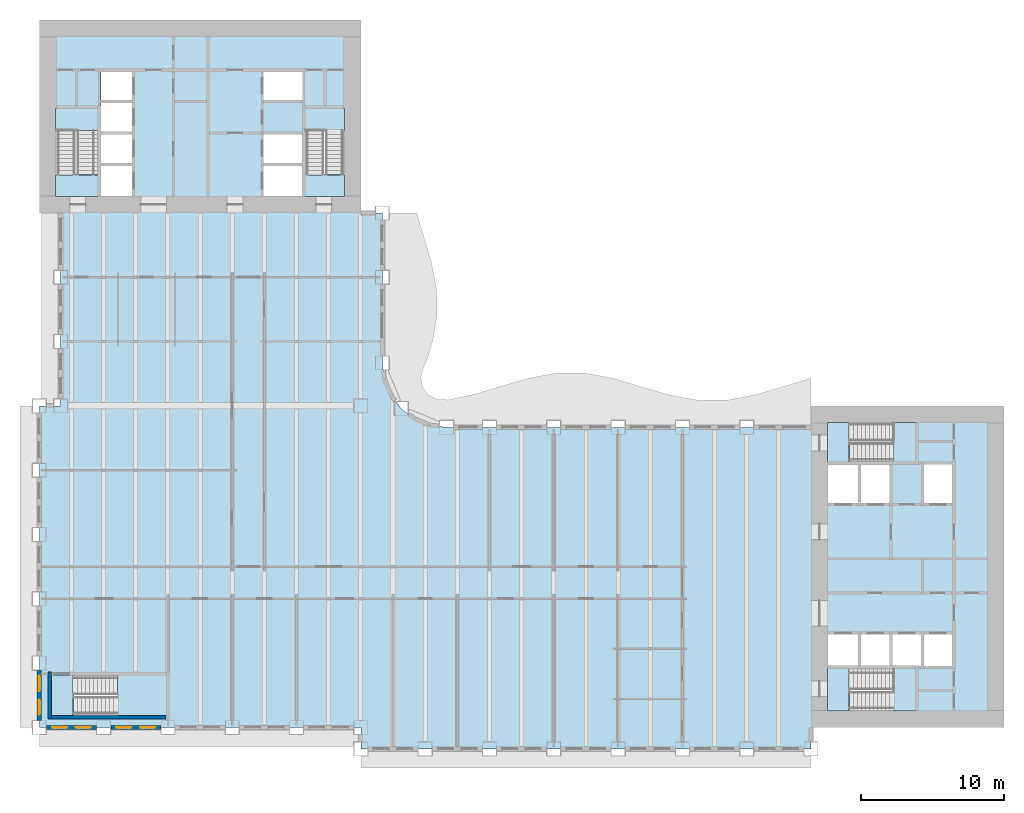
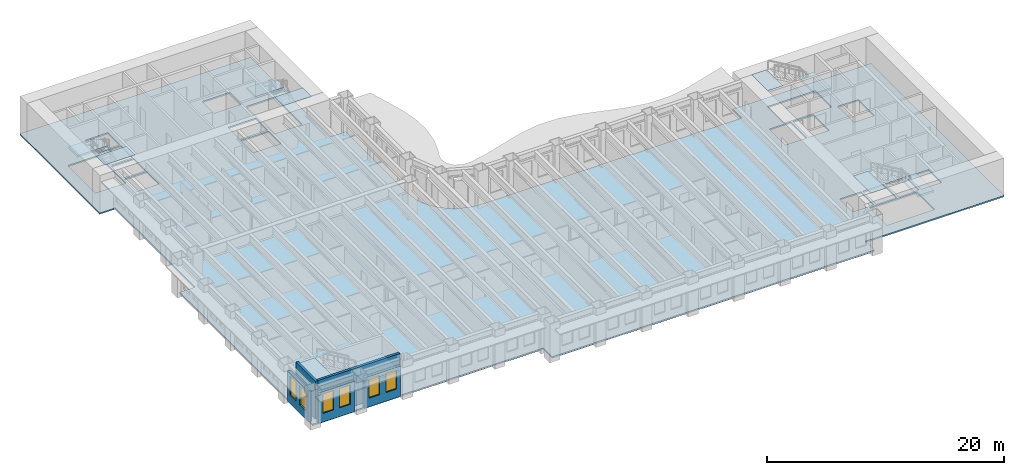
# One storey, part 2 of 16: 11 slabs, 6 windows, 5 walls, 6 openings, 5 elements without a shape of their own.
"""IFC4 building model written with IfcOpenShell, lengths in metres."""

from ifc_helpers import new_model, si_unit, direction, frame, frame_2d, origin, place, context, subcontext, project, spatial, polyline, rectangle, outline, extrude, material, layer, layer_set, type_object, element, fill, aggregate, save


model = new_model("IFC4")

# Units and contexts
model_context = context("Model", 3, precision=1e-05, world=origin(), true_north=direction((0.0, 1.0)))
body_context = subcontext(model_context, "Body", "Model", "MODEL_VIEW")
ifc_project = project(units=[si_unit("LENGTHUNIT", "METRE"), si_unit("AREAUNIT", "SQUARE_METRE"), si_unit("VOLUMEUNIT", "CUBIC_METRE"), si_unit("PLANEANGLEUNIT", "RADIAN"), si_unit("MASSUNIT", "GRAM", prefix="KILO")], contexts=[model_context])

# Site, building, storey
site_placement = place(None, origin())
site = spatial("IfcSite", under=ifc_project, at=site_placement, CompositionType="ELEMENT")
building_placement = place(site_placement, origin())
building = spatial("IfcBuilding", under=site, at=building_placement, Name="Sennacour Bend Tower", CompositionType="ELEMENT")
storey_placement = place(building_placement, frame((0.0, 0.0, 119.0)))
storey = spatial("IfcBuildingStorey", under=building, at=storey_placement, Name="L27", CompositionType="ELEMENT", Elevation=119.0)

# Slabs
ifc_material_1 = material(Name="Concrete C30/37", Category="concrete")
ifc_layer_1 = layer(ifc_material_1, 0.14990234375, Name="Concrete C30/37", Category="concrete")
ifc_layer_set_1 = layer_set([ifc_layer_1], Name="Concrete C30/37")
slab_type_1 = type_object("IfcSlabType", Name="Floor slab 150", PredefinedType="FLOOR", material=ifc_layer_set_1)
slab_1_placement = place(storey_placement, frame((0.0, 0.0, -0.14990234375)))
element("IfcSlab", 1, at=slab_1_placement, inside=storey, type_object=slab_type_1, Name="Floor slab L27-01", PredefinedType="FLOOR", context=body_context, shape_type="SweptSolid", body=[
    extrude(outline(polyline([(22.5, 0.0), (0.0, 0.0), (0.0, 22.5), (1.5, 22.5), (1.5, 36.0), (0.0, 36.0), (0.0, 49.5), (22.5, 49.5), (22.5, 36.0), (24.0, 36.0), (24.0, 25.5), (24.1533203125, 24.335205078125), (24.602783203125, 23.25), (25.318115234375, 22.318115234375), (26.25, 21.602783203125), (27.335205078125, 21.1533203125), (28.5, 21.0), (54.0, 21.0), (54.0, 22.5), (67.5, 22.5), (67.5, 0.0), (54.0, 0.0), (54.0, -1.5), (22.5, -1.5), (22.5, 0.0)]), holes=[polyline([(8.800048828125, 0.949951171875), (8.800048828125, 3.5), (2.429931640625, 3.5), (2.429931640625, 0.949951171875), (8.800048828125, 0.949951171875)]), polyline([(6.5, 37.199951171875), (6.5, 39.300048828125), (4.300048828125, 39.300048828125), (4.300048828125, 37.199951171875), (6.5, 37.199951171875)]), polyline([(18.39990234375, 37.199951171875), (18.39990234375, 39.300048828125), (15.699951171875, 39.300048828125), (15.699951171875, 37.199951171875), (18.39990234375, 37.199951171875)]), polyline([(6.5, 39.5), (6.5, 41.5), (4.300048828125, 41.5), (4.300048828125, 39.5), (6.5, 39.5)]), polyline([(18.39990234375, 39.5), (18.39990234375, 41.5), (15.699951171875, 41.5), (15.699951171875, 39.5), (18.39990234375, 39.5)]), polyline([(4.125, 38.72998046875), (4.125, 43.39990234375), (1.14990234375, 43.39990234375), (1.14990234375, 38.72998046875), (4.125, 38.72998046875)]), polyline([(21.35009765625, 38.72998046875), (21.35009765625, 43.39990234375), (18.574951171875, 43.39990234375), (18.574951171875, 38.72998046875), (21.35009765625, 38.72998046875)]), polyline([(4.300048828125, 41.699951171875), (6.5, 41.699951171875), (6.5, 43.699951171875), (4.300048828125, 43.699951171875), (4.300048828125, 41.699951171875)]), polyline([(4.300048828125, 43.89990234375), (6.5, 43.89990234375), (6.5, 45.89990234375), (4.300048828125, 45.89990234375), (4.300048828125, 43.89990234375)]), polyline([(18.39990234375, 43.89990234375), (18.39990234375, 45.89990234375), (15.699951171875, 45.89990234375), (15.699951171875, 43.89990234375), (18.39990234375, 43.89990234375)]), polyline([(61.39990234375, 1.14990234375), (61.39990234375, 4.125), (56.72998046875, 4.125), (56.72998046875, 1.14990234375), (61.39990234375, 1.14990234375)]), polyline([(57.300048828125, 4.300048828125), (57.300048828125, 6.5), (55.199951171875, 6.5), (55.199951171875, 4.300048828125), (57.300048828125, 4.300048828125)]), polyline([(57.5, 4.300048828125), (59.5, 4.300048828125), (59.5, 6.5), (57.5, 6.5), (57.5, 4.300048828125)]), polyline([(59.699951171875, 4.300048828125), (61.699951171875, 4.300048828125), (61.699951171875, 6.5), (59.699951171875, 6.5), (59.699951171875, 4.300048828125)]), polyline([(63.89990234375, 4.300048828125), (63.89990234375, 6.5), (61.89990234375, 6.5), (61.89990234375, 4.300048828125), (63.89990234375, 4.300048828125)]), polyline([(57.300048828125, 15.699951171875), (57.300048828125, 18.39990234375), (55.199951171875, 18.39990234375), (55.199951171875, 15.699951171875), (57.300048828125, 15.699951171875)]), polyline([(59.5, 15.699951171875), (59.5, 18.39990234375), (57.5, 18.39990234375), (57.5, 15.699951171875), (59.5, 15.699951171875)]), polyline([(61.89990234375, 15.699951171875), (63.89990234375, 15.699951171875), (63.89990234375, 18.39990234375), (61.89990234375, 18.39990234375), (61.89990234375, 15.699951171875)]), polyline([(56.72998046875, 18.574951171875), (61.39990234375, 18.574951171875), (61.39990234375, 21.35009765625), (56.72998046875, 21.35009765625), (56.72998046875, 18.574951171875)])]), origin(), (0.0, 0.0, 1.0), 0.14990234375),
])
ifc_material_2 = material(Name="Concrete C40/50", Category="concrete")
ifc_layer_2 = layer(ifc_material_2, 0.034912109375, Name="Concrete C40/50", Category="concrete")
ifc_layer_set_2 = layer_set([ifc_layer_2], Name="Concrete C40/50")
slab_type_2 = type_object("IfcSlabType", Name="Stair arrival nib 35", PredefinedType="FLOOR", material=ifc_layer_set_2)
slab_2_placement = place(storey_placement, frame((0.0, 0.0, 3.815185546875)))
element("IfcSlab", 2, at=slab_2_placement, inside=storey, type_object=slab_type_2, Name="L27 SA1 stair arrival nib", PredefinedType="FLOOR", context=body_context, shape_type="SweptSolid", body=[
    extrude(outline(polyline([(56.64208984375, 4.125), (55.14990234375, 4.125), (55.14990234375, 1.14990234375), (56.64208984375, 1.14990234375), (56.64208984375, 4.125)])), origin(), (0.0, 0.0, 1.0), 0.034912109375),
])
slab_3_placement = place(storey_placement, frame((0.0, 0.0, 3.815185546875)))
element("IfcSlab", 3, at=slab_3_placement, inside=storey, type_object=slab_type_2, Name="L27 SA2 stair arrival nib", PredefinedType="FLOOR", context=body_context, shape_type="SweptSolid", body=[
    extrude(outline(polyline([(56.64208984375, 21.35009765625), (55.14990234375, 21.35009765625), (55.14990234375, 18.574951171875), (56.64208984375, 18.574951171875), (56.64208984375, 21.35009765625)])), origin(), (0.0, 0.0, 1.0), 0.034912109375),
])
slab_4_placement = place(storey_placement, frame((0.0, 0.0, 3.815185546875)))
element("IfcSlab", 4, at=slab_4_placement, inside=storey, type_object=slab_type_2, Name="L27 SB1 stair arrival nib", PredefinedType="FLOOR", context=body_context, shape_type="SweptSolid", body=[
    extrude(outline(polyline([(1.14990234375, 38.64208984375), (1.14990234375, 37.14990234375), (4.125, 37.14990234375), (4.125, 38.64208984375), (1.14990234375, 38.64208984375)])), origin(), (0.0, 0.0, 1.0), 0.034912109375),
])
slab_5_placement = place(storey_placement, frame((0.0, 0.0, 3.815185546875)))
element("IfcSlab", 5, at=slab_5_placement, inside=storey, type_object=slab_type_2, Name="L27 SB2 stair arrival nib", PredefinedType="FLOOR", context=body_context, shape_type="SweptSolid", body=[
    extrude(outline(polyline([(18.574951171875, 38.64208984375), (18.574951171875, 37.14990234375), (21.35009765625, 37.14990234375), (21.35009765625, 38.64208984375), (18.574951171875, 38.64208984375)])), origin(), (0.0, 0.0, 1.0), 0.034912109375),
])
slab_6_placement = place(storey_placement, frame((0.0, 0.0, 3.815185546875)))
element("IfcSlab", 6, at=slab_6_placement, inside=storey, type_object=slab_type_2, Name="L27 SK1 stair arrival nib", PredefinedType="FLOOR", context=body_context, shape_type="SweptSolid", body=[
    extrude(outline(polyline([(2.342041015625, 3.675048828125), (0.800048828125, 3.675048828125), (0.800048828125, 0.800048828125), (2.342041015625, 0.800048828125), (2.342041015625, 3.675048828125)])), origin(), (0.0, 0.0, 1.0), 0.034912109375),
])

# Stair, slab
stair_type = type_object("IfcStairType", Name="ST-DOGLEG", PredefinedType="HALF_TURN_STAIR", material=ifc_material_2)
stair_1_placement = place(storey_placement, origin())
stair_1 = element("IfcStair", 7, at=stair_1_placement, inside=storey, type_object=stair_type, Name="L27 Exit stair A1", PredefinedType="HALF_TURN_STAIR")
ifc_layer_3 = layer(ifc_material_2, 0.199951171875, Name="Concrete C40/50", Category="concrete")
ifc_layer_set_3 = layer_set([ifc_layer_3], Name="Concrete C40/50")
slab_type_3 = type_object("IfcSlabType", Name="Stair landing 200", PredefinedType="LANDING", material=ifc_layer_set_3)
slab_7_placement = place(storey_placement, frame((0.0, 0.0, 1.800048828125)))
slab_7 = element("IfcSlab", 8, at=slab_7_placement, type_object=slab_type_3, Name="SA1 landing 1", PredefinedType="LANDING", context=body_context, shape_type="SweptSolid", body=[
    extrude(outline(polyline([(59.780029296875, 1.14990234375), (61.324951171875, 1.14990234375), (61.324951171875, 4.125), (59.780029296875, 4.125), (59.780029296875, 1.14990234375)])), origin(), (0.0, 0.0, 1.0), 0.199951171875),
])
aggregate(stair_1, [slab_7])

stair_2_placement = place(storey_placement, origin())
stair_2 = element("IfcStair", 9, at=stair_2_placement, inside=storey, type_object=stair_type, Name="L27 Exit stair A2", PredefinedType="HALF_TURN_STAIR")
slab_8_placement = place(storey_placement, frame((0.0, 0.0, 1.800048828125)))
slab_8 = element("IfcSlab", 10, at=slab_8_placement, type_object=slab_type_3, Name="SA2 landing 1", PredefinedType="LANDING", context=body_context, shape_type="SweptSolid", body=[
    extrude(outline(polyline([(59.780029296875, 18.574951171875), (61.324951171875, 18.574951171875), (61.324951171875, 21.35009765625), (59.780029296875, 21.35009765625), (59.780029296875, 18.574951171875)])), origin(), (0.0, 0.0, 1.0), 0.199951171875),
])
aggregate(stair_2, [slab_8])

stair_3_placement = place(storey_placement, origin())
stair_3 = element("IfcStair", 11, at=stair_3_placement, inside=storey, type_object=stair_type, Name="L27 Exit stair B1", PredefinedType="HALF_TURN_STAIR")
slab_9_placement = place(storey_placement, frame((0.0, 0.0, 1.800048828125)))
slab_9 = element("IfcSlab", 12, at=slab_9_placement, type_object=slab_type_3, Name="SB1 landing 1", PredefinedType="LANDING", context=body_context, shape_type="SweptSolid", body=[
    extrude(outline(polyline([(1.14990234375, 41.780029296875), (4.125, 41.780029296875), (4.125, 43.324951171875), (1.14990234375, 43.324951171875), (1.14990234375, 41.780029296875)])), origin(), (0.0, 0.0, 1.0), 0.199951171875),
])
aggregate(stair_3, [slab_9])

stair_4_placement = place(storey_placement, origin())
stair_4 = element("IfcStair", 13, at=stair_4_placement, inside=storey, type_object=stair_type, Name="L27 Exit stair B2", PredefinedType="HALF_TURN_STAIR")
slab_10_placement = place(storey_placement, frame((0.0, 0.0, 1.800048828125)))
slab_10 = element("IfcSlab", 14, at=slab_10_placement, type_object=slab_type_3, Name="SB2 landing 1", PredefinedType="LANDING", context=body_context, shape_type="SweptSolid", body=[
    extrude(outline(polyline([(18.574951171875, 41.780029296875), (21.35009765625, 41.780029296875), (21.35009765625, 43.324951171875), (18.574951171875, 43.324951171875), (18.574951171875, 41.780029296875)])), origin(), (0.0, 0.0, 1.0), 0.199951171875),
])
aggregate(stair_4, [slab_10])

stair_5_placement = place(storey_placement, origin())
stair_5 = element("IfcStair", 15, at=stair_5_placement, inside=storey, type_object=stair_type, Name="L27 Exit stair K1", PredefinedType="HALF_TURN_STAIR")
slab_11_placement = place(storey_placement, frame((0.0, 0.0, 1.800048828125)))
slab_11 = element("IfcSlab", 16, at=slab_11_placement, type_object=slab_type_3, Name="SK1 landing 1", PredefinedType="LANDING", context=body_context, shape_type="SweptSolid", body=[
    extrude(outline(polyline([(5.47998046875, 0.800048828125), (8.925048828125, 0.800048828125), (8.925048828125, 3.675048828125), (5.47998046875, 3.675048828125), (5.47998046875, 0.800048828125)])), origin(), (0.0, 0.0, 1.0), 0.199951171875),
])
aggregate(stair_5, [slab_11])

# Wall, openings, windows
ifc_material_3 = material(Name="Warm limestone cladding", Category="masonry")
ifc_layer_4 = layer(ifc_material_3, 0.050048828125, Name="Warm limestone cladding", Category="masonry")
ifc_material_4 = material(Name="Precast concrete C40/50", Category="concrete")
ifc_layer_5 = layer(ifc_material_4, 0.25, Name="Precast concrete C40/50", Category="concrete")
ifc_layer_set_4 = layer_set([ifc_layer_4, ifc_layer_5], Name="Precast concrete C40/50 with limestone cladding")
wall_type_1 = type_object("IfcWallType", Name="STONE-CLAD PRECAST SPANDREL 300", PredefinedType="STANDARD", material=ifc_layer_set_4)
wall_1_placement = place(storey_placement, frame((0.0, 4.0, 0.0), z_axis=(0.0, 0.0, 1.0), x_axis=(0.0, -1.0, 0.0)))
wall_1 = element("IfcWall", 17, at=wall_1_placement, inside=storey, type_object=wall_type_1, Name="Stone spandrel and pier wall L27 21.04", PredefinedType="STANDARD", context=body_context, shape_type="SweptSolid", body=[
    extrude(rectangle(XDim=3.5, YDim=0.300048828125, at=frame_2d((1.75, 0.0))), origin(), (0.0, 0.0, 1.0), 3.154052734375),
])
opening_1_placement = place(wall_1_placement, frame((0.39990234375, 0.0, 0.89990234375)))
opening_1 = element("IfcOpeningElement", 18, at=opening_1_placement, cuts=wall_1, Name="Opening W13", PredefinedType="OPENING", context=body_context, shape_type="SweptSolid", body=[
    extrude(rectangle(XDim=1.050048828125, YDim=2.0, at=frame_2d((0.52490234375, 1.0))), frame((0.0, 0.16015625, 0.0), z_axis=(0.0, -1.0, 0.0), x_axis=(1.0, 0.0, 0.0)), (0.0, 0.0, 1.0), 0.320068359375),
])
opening_2_placement = place(wall_1_placement, frame((2.050048828125, 0.0, 0.89990234375)))
opening_2 = element("IfcOpeningElement", 19, at=opening_2_placement, cuts=wall_1, Name="Opening W13", PredefinedType="OPENING", context=body_context, shape_type="SweptSolid", body=[
    extrude(rectangle(XDim=1.050048828125, YDim=2.0, at=frame_2d((0.52490234375, 1.0))), frame((0.0, 0.16015625, 0.0), z_axis=(0.0, -1.0, 0.0), x_axis=(1.0, 0.0, 0.0)), (0.0, 0.0, 1.0), 0.320068359375),
])
ifc_material_5 = material(Name="Clear low-emissivity glass", Category="glass")
window_type = type_object("IfcWindowType", Name="WIN-RIBBON-1050x2000", PartitioningType="SINGLE_PANEL", PredefinedType="WINDOW", material=ifc_material_5)
window_1_placement = place(opening_1_placement, origin())
window_1 = element("IfcWindow", 20, at=window_1_placement, inside=storey, type_object=window_type, Name="Ribbon window L27 21.04.0", OverallHeight=2.0, OverallWidth=1.050048828125, PartitioningType="SINGLE_PANEL", PredefinedType="WINDOW", context=body_context, shape_type="SweptSolid", body=[
    extrude(rectangle(XDim=1.050048828125, YDim=2.0, at=frame_2d((0.52490234375, 1.0))), frame((0.0, 0.030029296875, 0.0), z_axis=(0.0, -1.0, 0.0), x_axis=(1.0, 0.0, 0.0)), (0.0, 0.0, 1.0), 0.06005859375),
])
fill(opening_1, window_1)
window_2_placement = place(opening_2_placement, origin())
window_2 = element("IfcWindow", 21, at=window_2_placement, inside=storey, type_object=window_type, Name="Ribbon window L27 21.04.1", OverallHeight=2.0, OverallWidth=1.050048828125, PartitioningType="SINGLE_PANEL", PredefinedType="WINDOW", context=body_context, shape_type="SweptSolid", body=[
    extrude(rectangle(XDim=1.050048828125, YDim=2.0, at=frame_2d((0.52490234375, 1.0))), frame((0.0, 0.030029296875, 0.0), z_axis=(0.0, -1.0, 0.0), x_axis=(1.0, 0.0, 0.0)), (0.0, 0.0, 1.0), 0.06005859375),
])
fill(opening_2, window_2)

wall_2_placement = place(storey_placement, frame((0.5, 0.0, 0.0), z_axis=(0.0, 0.0, 1.0), x_axis=(1.0, 0.0, 0.0)))
wall_2 = element("IfcWall", 22, at=wall_2_placement, inside=storey, type_object=wall_type_1, Name="Stone spandrel and pier wall L27 22.00", PredefinedType="STANDARD", context=body_context, shape_type="SweptSolid", body=[
    extrude(rectangle(XDim=3.5, YDim=0.300048828125, at=frame_2d((1.75, 0.0))), origin(), (0.0, 0.0, 1.0), 3.154052734375),
])
opening_3_placement = place(wall_2_placement, frame((0.39990234375, 0.0, 0.89990234375)))
opening_3 = element("IfcOpeningElement", 23, at=opening_3_placement, cuts=wall_2, Name="Opening W13", PredefinedType="OPENING", context=body_context, shape_type="SweptSolid", body=[
    extrude(rectangle(XDim=1.050048828125, YDim=2.0, at=frame_2d((0.52490234375, 1.0))), frame((0.0, 0.16015625, 0.0), z_axis=(0.0, -1.0, 0.0), x_axis=(1.0, 0.0, 0.0)), (0.0, 0.0, 1.0), 0.320068359375),
])
opening_4_placement = place(wall_2_placement, frame((2.050048828125, 0.0, 0.89990234375)))
opening_4 = element("IfcOpeningElement", 24, at=opening_4_placement, cuts=wall_2, Name="Opening W13", PredefinedType="OPENING", context=body_context, shape_type="SweptSolid", body=[
    extrude(rectangle(XDim=1.050048828125, YDim=2.0, at=frame_2d((0.52490234375, 1.0))), frame((0.0, 0.16015625, 0.0), z_axis=(0.0, -1.0, 0.0), x_axis=(1.0, 0.0, 0.0)), (0.0, 0.0, 1.0), 0.320068359375),
])
window_3_placement = place(opening_3_placement, origin())
window_3 = element("IfcWindow", 25, at=window_3_placement, inside=storey, type_object=window_type, Name="Ribbon window L27 22.00.0", OverallHeight=2.0, OverallWidth=1.050048828125, PartitioningType="SINGLE_PANEL", PredefinedType="WINDOW", context=body_context, shape_type="SweptSolid", body=[
    extrude(rectangle(XDim=1.050048828125, YDim=2.0, at=frame_2d((0.52490234375, 1.0))), frame((0.0, 0.030029296875, 0.0), z_axis=(0.0, -1.0, 0.0), x_axis=(1.0, 0.0, 0.0)), (0.0, 0.0, 1.0), 0.06005859375),
])
fill(opening_3, window_3)
window_4_placement = place(opening_4_placement, origin())
window_4 = element("IfcWindow", 26, at=window_4_placement, inside=storey, type_object=window_type, Name="Ribbon window L27 22.00.1", OverallHeight=2.0, OverallWidth=1.050048828125, PartitioningType="SINGLE_PANEL", PredefinedType="WINDOW", context=body_context, shape_type="SweptSolid", body=[
    extrude(rectangle(XDim=1.050048828125, YDim=2.0, at=frame_2d((0.52490234375, 1.0))), frame((0.0, 0.030029296875, 0.0), z_axis=(0.0, -1.0, 0.0), x_axis=(1.0, 0.0, 0.0)), (0.0, 0.0, 1.0), 0.06005859375),
])
fill(opening_4, window_4)

wall_3_placement = place(storey_placement, frame((5.0, 0.0, 0.0), z_axis=(0.0, 0.0, 1.0), x_axis=(1.0, 0.0, 0.0)))
wall_3 = element("IfcWall", 27, at=wall_3_placement, inside=storey, type_object=wall_type_1, Name="Stone spandrel and pier wall L27 22.01", PredefinedType="STANDARD", context=body_context, shape_type="SweptSolid", body=[
    extrude(rectangle(XDim=3.5, YDim=0.300048828125, at=frame_2d((1.75, 0.0))), origin(), (0.0, 0.0, 1.0), 3.154052734375),
])
opening_5_placement = place(wall_3_placement, frame((0.39990234375, 0.0, 0.89990234375)))
opening_5 = element("IfcOpeningElement", 28, at=opening_5_placement, cuts=wall_3, Name="Opening W13", PredefinedType="OPENING", context=body_context, shape_type="SweptSolid", body=[
    extrude(rectangle(XDim=1.050048828125, YDim=2.0, at=frame_2d((0.52490234375, 1.0))), frame((0.0, 0.16015625, 0.0), z_axis=(0.0, -1.0, 0.0), x_axis=(1.0, 0.0, 0.0)), (0.0, 0.0, 1.0), 0.320068359375),
])
opening_6_placement = place(wall_3_placement, frame((2.050048828125, 0.0, 0.89990234375)))
opening_6 = element("IfcOpeningElement", 29, at=opening_6_placement, cuts=wall_3, Name="Opening W13", PredefinedType="OPENING", context=body_context, shape_type="SweptSolid", body=[
    extrude(rectangle(XDim=1.050048828125, YDim=2.0, at=frame_2d((0.52490234375, 1.0))), frame((0.0, 0.16015625, 0.0), z_axis=(0.0, -1.0, 0.0), x_axis=(1.0, 0.0, 0.0)), (0.0, 0.0, 1.0), 0.320068359375),
])
window_5_placement = place(opening_5_placement, origin())
window_5 = element("IfcWindow", 30, at=window_5_placement, inside=storey, type_object=window_type, Name="Ribbon window L27 22.01.0", OverallHeight=2.0, OverallWidth=1.050048828125, PartitioningType="SINGLE_PANEL", PredefinedType="WINDOW", context=body_context, shape_type="SweptSolid", body=[
    extrude(rectangle(XDim=1.050048828125, YDim=2.0, at=frame_2d((0.52490234375, 1.0))), frame((0.0, 0.030029296875, 0.0), z_axis=(0.0, -1.0, 0.0), x_axis=(1.0, 0.0, 0.0)), (0.0, 0.0, 1.0), 0.06005859375),
])
fill(opening_5, window_5)
window_6_placement = place(opening_6_placement, origin())
window_6 = element("IfcWindow", 31, at=window_6_placement, inside=storey, type_object=window_type, Name="Ribbon window L27 22.01.1", OverallHeight=2.0, OverallWidth=1.050048828125, PartitioningType="SINGLE_PANEL", PredefinedType="WINDOW", context=body_context, shape_type="SweptSolid", body=[
    extrude(rectangle(XDim=1.050048828125, YDim=2.0, at=frame_2d((0.52490234375, 1.0))), frame((0.0, 0.030029296875, 0.0), z_axis=(0.0, -1.0, 0.0), x_axis=(1.0, 0.0, 0.0)), (0.0, 0.0, 1.0), 0.06005859375),
])
fill(opening_6, window_6)

# Walls
ifc_material_6 = material(Name="Concrete C60/75", Category="concrete")
ifc_layer_6 = layer(ifc_material_6, 0.25, Name="Concrete C60/75", Category="concrete")
ifc_layer_set_5 = layer_set([ifc_layer_6], Name="Concrete C60/75")
wall_type_2 = type_object("IfcWallType", Name="Stair wall 250", PredefinedType="SHEAR", material=ifc_layer_set_5)
wall_4_placement = place(storey_placement, frame((0.72509765625, 0.60009765625, 0.0), z_axis=(0.0, 0.0, 1.0), x_axis=(0.0, 1.0, 0.0)))
element("IfcWall", 32, at=wall_4_placement, inside=storey, type_object=wall_type_2, Name="P-L27-W002", PredefinedType="SHEAR", context=body_context, shape_type="SweptSolid", body=[
    extrude(rectangle(XDim=3.27490234375, YDim=0.25, at=frame_2d((1.637451171875, 0.0))), origin(), (0.0, 0.0, 1.0), 3.85009765625),
])
wall_5_placement = place(storey_placement, frame((0.85009765625, 0.72509765625, 0.0), z_axis=(0.0, 0.0, 1.0), x_axis=(1.0, 0.0, 0.0)))
element("IfcWall", 33, at=wall_5_placement, inside=storey, type_object=wall_type_2, Name="P-L27-W050", PredefinedType="SHEAR", context=body_context, shape_type="SweptSolid", body=[
    extrude(rectangle(XDim=8.02490234375, YDim=0.25, at=frame_2d((4.012451171875, 0.0))), origin(), (0.0, 0.0, 1.0), 3.85009765625),
])

save(model, "model.ifc")
